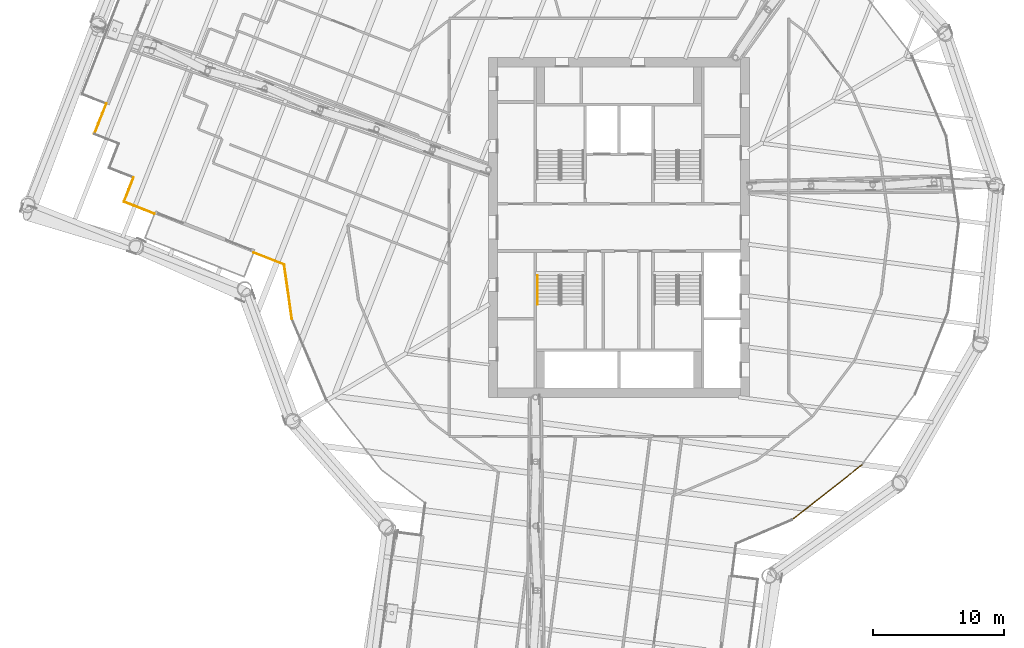
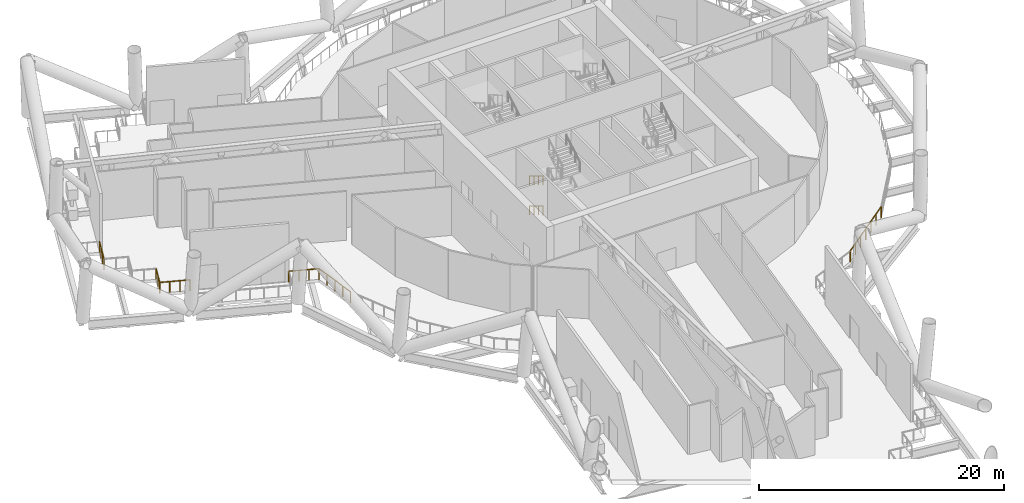
# One storey, part 32 of 36: 8 railings.
"""IFC4 building model written with IfcOpenShell, lengths in metres."""

from ifc_helpers import new_model, si_unit, direction, frame, origin, origin_2d, place, context, subcontext, project, spatial, circle, extrude, material, type_object, element, save


model = new_model("IFC4")

# Units and contexts
model_context = context("Model", 3, precision=1e-05, world=origin(), true_north=direction((0.0, 1.0)))
body_context = subcontext(model_context, "Body", "Model", "MODEL_VIEW")
ifc_project = project(units=[si_unit("LENGTHUNIT", "METRE"), si_unit("AREAUNIT", "SQUARE_METRE"), si_unit("VOLUMEUNIT", "CUBIC_METRE"), si_unit("PLANEANGLEUNIT", "RADIAN"), si_unit("MASSUNIT", "GRAM", prefix="KILO")], contexts=[model_context])

# Site, building, storey
site_placement = place(None, origin())
site = spatial("IfcSite", under=ifc_project, at=site_placement, CompositionType="ELEMENT")
building_placement = place(site_placement, origin())
building = spatial("IfcBuilding", under=site, at=building_placement, Name="Tarsis Ring Headquarters", CompositionType="ELEMENT")
storey_placement = place(building_placement, frame((0.0, 0.0, 194.39990234375)))
storey = spatial("IfcBuildingStorey", under=building, at=storey_placement, Name="L45", CompositionType="ELEMENT", Elevation=194.39990234375)

# Railings
ifc_material_1 = material(Name="Steel S355", Category="steel")
railing_type_1 = type_object("IfcRailingType", Name="Core stair handrail 900", PredefinedType="HANDRAIL", material=ifc_material_1)
for number, where, name in (
    (1, (-6.25, -3.659912109375, 0.166748046875), "L45 ST3 stair handrail 1"),
    (2, (-6.25, -3.659912109375, 3.166748046875), "L45 ST3 stair handrail 3"),
):
    element("IfcRailing", number, at=place(storey_placement, frame(where)), inside=storey, type_object=railing_type_1, Name=name, PredefinedType="HANDRAIL", context=body_context, shape_type="SweptSolid", body=[
        extrude(circle(Radius=0.02392578125, at=origin_2d()), frame((0.0, 0.0, 0.8759765625), z_axis=(0.0, -0.859305625298, 0.511462454469), x_axis=(1.0, 0.0, 0.0)), (0.0, 0.0, 1.0), 2.606689453125),
        extrude(circle(Radius=0.02099609375, at=origin_2d()), origin(), (0.0, 0.0, 1.0), 0.851806640625),
        extrude(circle(Radius=0.02099609375, at=origin_2d()), frame((0.0, -0.74658203125, 0.4443359375)), (0.0, 0.0, 1.0), 0.851806640625),
        extrude(circle(Radius=0.02099609375, at=origin_2d()), frame((0.0, -1.493408203125, 0.888916015625)), (0.0, 0.0, 1.0), 0.851806640625),
        extrude(circle(Radius=0.02099609375, at=origin_2d()), frame((0.0, -2.239990234375, 1.333251953125)), (0.0, 0.0, 1.0), 0.851806640625),
    ])
ifc_material_2 = material(Name="Stainless steel guard", Category="steel")
railing_type_2 = type_object("IfcRailingType", Name="Guard rail with mesh infill 1100", PredefinedType="GUARDRAIL", material=ifc_material_2)
for number, where, name in (
    (3, (-37.896484375, 1.962890625, 0.0), "Guard L45-01a"),
    (4, (-27.960205078125, -1.93115234375, 0.0), "Guard L45-01b"),
):
    element("IfcRailing", number, at=place(storey_placement, frame(where)), inside=storey, type_object=railing_type_2, Name=name, PredefinedType="GUARDRAIL", context=body_context, shape_type="SweptSolid", body=[
        extrude(circle(Radius=0.030029296875, at=origin_2d()), frame((0.0, 0.0, 1.070068359375), z_axis=(0.931066887801, -0.364848530819, 0.0), x_axis=(0.364848530819, 0.931066887801, 0.0)), (0.0, 0.0, 1.0), 2.5),
        extrude(circle(Radius=0.02490234375, at=origin_2d()), origin(), (0.0, 0.0, 1.0), 1.0400390625),
        extrude(circle(Radius=0.02490234375, at=origin_2d()), frame((0.77587890625, -0.303955078125, 0.0)), (0.0, 0.0, 1.0), 1.0400390625),
        extrude(circle(Radius=0.02490234375, at=origin_2d()), frame((1.5517578125, -0.608154296875, 0.0)), (0.0, 0.0, 1.0), 1.0400390625),
        extrude(circle(Radius=0.02490234375, at=origin_2d()), frame((2.32763671875, -0.912109375, 0.0)), (0.0, 0.0, 1.0), 1.0400390625),
    ])
railing_1_placement = place(storey_placement, frame((-25.632568359375, -2.84326171875, 0.0)))
element("IfcRailing", 5, at=railing_1_placement, inside=storey, type_object=railing_type_2, Name="Guard L45-02", PredefinedType="GUARDRAIL", context=body_context, shape_type="SweptSolid", body=[
    extrude(circle(Radius=0.030029296875, at=origin_2d()), frame((0.0, 0.0, 1.070068359375), z_axis=(0.140874847481, -0.990027412422, 0.0), x_axis=(0.990027412422, 0.140874847481, 0.0)), (0.0, 0.0, 1.0), 4.1904296875),
    extrude(circle(Radius=0.02490234375, at=origin_2d()), origin(), (0.0, 0.0, 1.0), 1.0400390625),
    extrude(circle(Radius=0.02490234375, at=origin_2d()), frame((0.1474609375, -1.037109375, 0.0)), (0.0, 0.0, 1.0), 1.0400390625),
    extrude(circle(Radius=0.02490234375, at=origin_2d()), frame((0.295166015625, -2.07421875, 0.0)), (0.0, 0.0, 1.0), 1.0400390625),
    extrude(circle(Radius=0.02490234375, at=origin_2d()), frame((0.44287109375, -3.111572265625, 0.0)), (0.0, 0.0, 1.0), 1.0400390625),
    extrude(circle(Radius=0.02490234375, at=origin_2d()), frame((0.59033203125, -4.148681640625, 0.0)), (0.0, 0.0, 1.0), 1.0400390625),
])
railing_2_placement = place(storey_placement, frame((13.235107421875, -22.37939453125, 0.0)))
element("IfcRailing", 6, at=railing_2_placement, inside=storey, type_object=railing_type_2, Name="Guard L45-18", PredefinedType="GUARDRAIL", context=body_context, shape_type="SweptSolid", body=[
    extrude(circle(Radius=0.030029296875, at=origin_2d()), frame((0.0, 0.0, 1.070068359375), z_axis=(0.786913349196, 0.617063514443, 0.0), x_axis=(-0.617063514443, 0.786913349196, 0.0)), (0.0, 0.0, 1.0), 6.787353515625),
    extrude(circle(Radius=0.02490234375, at=origin_2d()), origin(), (0.0, 0.0, 1.0), 1.0400390625),
    extrude(circle(Radius=0.02490234375, at=origin_2d()), frame((0.89013671875, 0.697998046875, 0.0)), (0.0, 0.0, 1.0), 1.0400390625),
    extrude(circle(Radius=0.02490234375, at=origin_2d()), frame((1.7802734375, 1.39599609375, 0.0)), (0.0, 0.0, 1.0), 1.0400390625),
    extrude(circle(Radius=0.02490234375, at=origin_2d()), frame((2.67041015625, 2.09423828125, 0.0)), (0.0, 0.0, 1.0), 1.0400390625),
    extrude(circle(Radius=0.02490234375, at=origin_2d()), frame((3.560791015625, 2.792236328125, 0.0)), (0.0, 0.0, 1.0), 1.0400390625),
    extrude(circle(Radius=0.02490234375, at=origin_2d()), frame((4.450927734375, 3.490234375, 0.0)), (0.0, 0.0, 1.0), 1.0400390625),
    extrude(circle(Radius=0.02490234375, at=origin_2d()), frame((5.341064453125, 4.188232421875, 0.0)), (0.0, 0.0, 1.0), 1.0400390625),
])
railing_3_placement = place(storey_placement, frame((-39.2490234375, 9.474365234375, 0.0)))
element("IfcRailing", 7, at=railing_3_placement, inside=storey, type_object=railing_type_2, Name="Guard L45-36b", PredefinedType="GUARDRAIL", context=body_context, shape_type="SweptSolid", body=[
    extrude(circle(Radius=0.030029296875, at=origin_2d()), frame((0.0, 0.0, 1.070068359375), z_axis=(-0.364848530819, -0.931066887801, 0.0), x_axis=(0.931066887801, -0.364848530819, 0.0)), (0.0, 0.0, 1.0), 2.5),
    extrude(circle(Radius=0.02490234375, at=origin_2d()), origin(), (0.0, 0.0, 1.0), 1.0400390625),
    extrude(circle(Radius=0.02490234375, at=origin_2d()), frame((-0.303955078125, -0.77587890625, 0.0)), (0.0, 0.0, 1.0), 1.0400390625),
    extrude(circle(Radius=0.02490234375, at=origin_2d()), frame((-0.608154296875, -1.5517578125, 0.0)), (0.0, 0.0, 1.0), 1.0400390625),
    extrude(circle(Radius=0.02490234375, at=origin_2d()), frame((-0.912109375, -2.32763671875, 0.0)), (0.0, 0.0, 1.0), 1.0400390625),
])
railing_4_placement = place(storey_placement, frame((-37.166748046875, 3.824951171875, 0.0)))
element("IfcRailing", 8, at=railing_4_placement, inside=storey, type_object=railing_type_2, Name="Guard L45-40", PredefinedType="GUARDRAIL", context=body_context, shape_type="SweptSolid", body=[
    extrude(circle(Radius=0.030029296875, at=origin_2d()), frame((0.0, 0.0, 1.070068359375), z_axis=(-0.364877989045, -0.931055343742, 0.0), x_axis=(0.931055343742, -0.364877989045, 0.0)), (0.0, 0.0, 1.0), 2.0),
    extrude(circle(Radius=0.02490234375, at=origin_2d()), origin(), (0.0, 0.0, 1.0), 1.0400390625),
    extrude(circle(Radius=0.02490234375, at=origin_2d()), frame((-0.36474609375, -0.93115234375, 0.0)), (0.0, 0.0, 1.0), 1.0400390625),
    extrude(circle(Radius=0.02490234375, at=origin_2d()), frame((-0.729736328125, -1.862060546875, 0.0)), (0.0, 0.0, 1.0), 1.0400390625),
])

save(model, "model.ifc")
